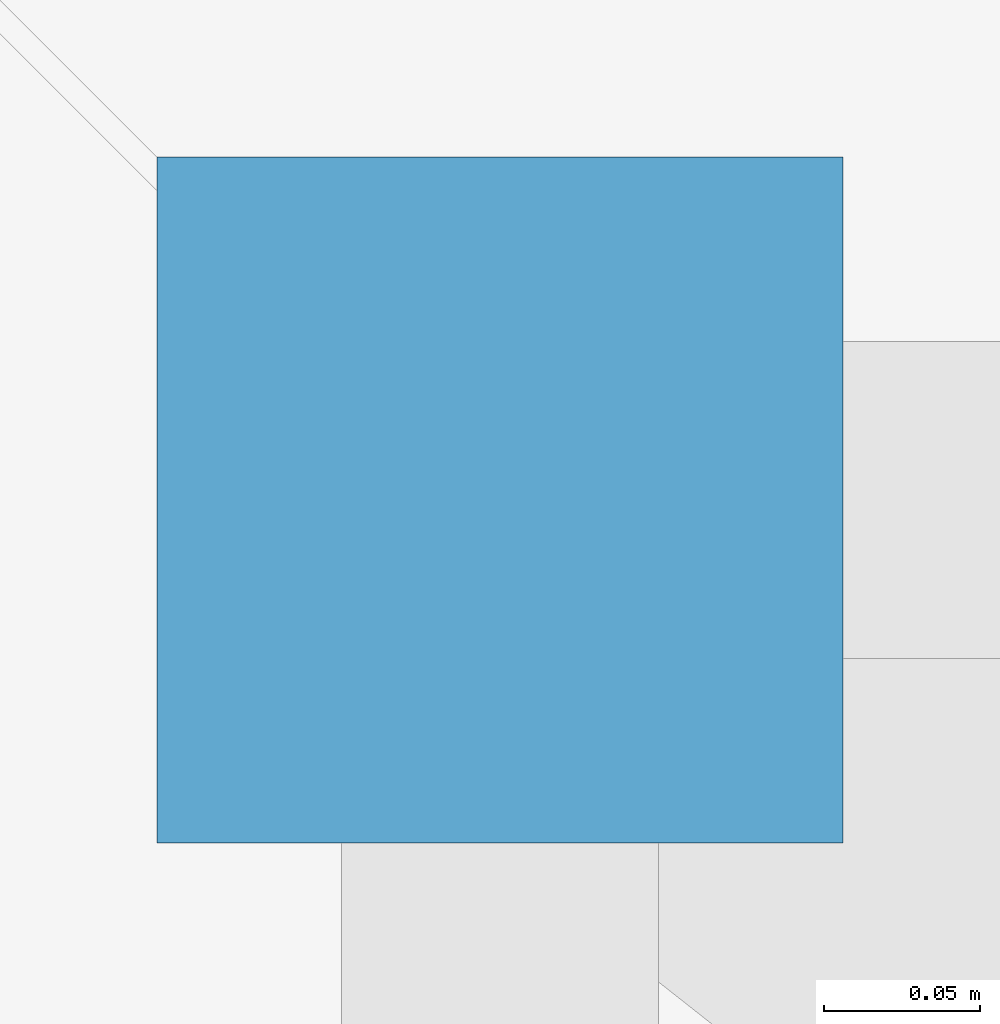
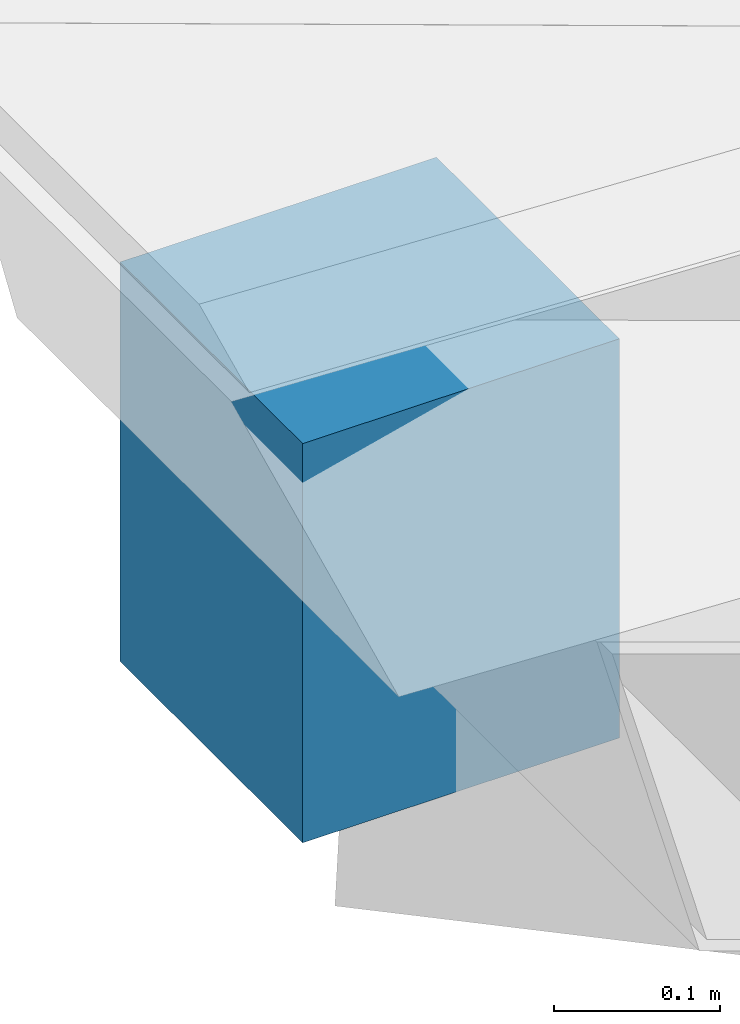
# One storey, part 46 of 51: 1 discrete accessory.
"""IFC4 building model written with IfcOpenShell, lengths in metres."""

from ifc_helpers import new_model, si_unit, direction, frame, origin, origin_2d, place, context, subcontext, project, spatial, rectangle, extrude, material, type_object, element, save


model = new_model("IFC4")

# Units and contexts
model_context = context("Model", 3, precision=1e-05, world=origin(), true_north=direction((0.0, 1.0)))
body_context = subcontext(model_context, "Body", "Model", "MODEL_VIEW")
ifc_project = project(units=[si_unit("LENGTHUNIT", "METRE"), si_unit("AREAUNIT", "SQUARE_METRE"), si_unit("VOLUMEUNIT", "CUBIC_METRE"), si_unit("PLANEANGLEUNIT", "RADIAN"), si_unit("MASSUNIT", "GRAM", prefix="KILO")], contexts=[model_context])

# Site, building, storey
site_placement = place(None, origin())
site = spatial("IfcSite", under=ifc_project, at=site_placement, CompositionType="ELEMENT")
building_placement = place(site_placement, origin())
building = spatial("IfcBuilding", under=site, at=building_placement, Name="Steenspoor Specialist Clinic", CompositionType="ELEMENT")
storey_placement = place(building_placement, frame((0.0, 0.0, 17.39990234375)))
storey = spatial("IfcBuildingStorey", under=building, at=storey_placement, Name="L04", CompositionType="ELEMENT", Elevation=17.39990234375)

# Discrete accessory
ifc_material = material(Name="Galvanised steel mounting bracket", Category="steel")
discrete_accessory_type = type_object("IfcDiscreteAccessoryType", Name="ACC-BRACKET-FIN", PredefinedType="BRACKET", material=ifc_material)
discrete_accessory_placement = place(storey_placement, frame((19.5, 96.550048828125, -0.39794921875), z_axis=(0.0, 0.0, 1.0), x_axis=(1.0, 0.0, 0.0)))
element("IfcDiscreteAccessory", 1, at=discrete_accessory_placement, inside=storey, type_object=discrete_accessory_type, Name="Eave Corner Hip Bracket 305", PredefinedType="BRACKET", context=body_context, shape_type="SweptSolid", body=[
    extrude(rectangle(XDim=0.219970703125, YDim=0.219970703125, at=origin_2d()), origin(), (0.0, 0.0, 1.0), 0.293212890625),
])

save(model, "model.ifc")
